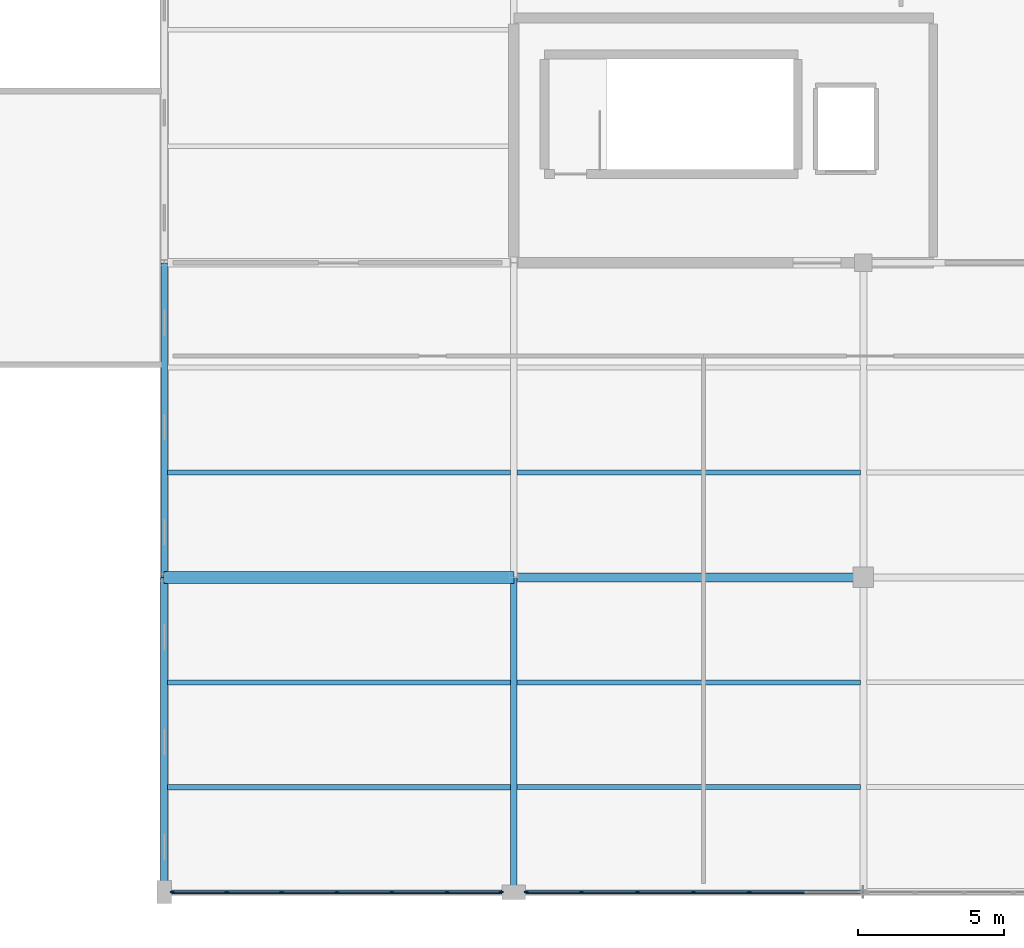
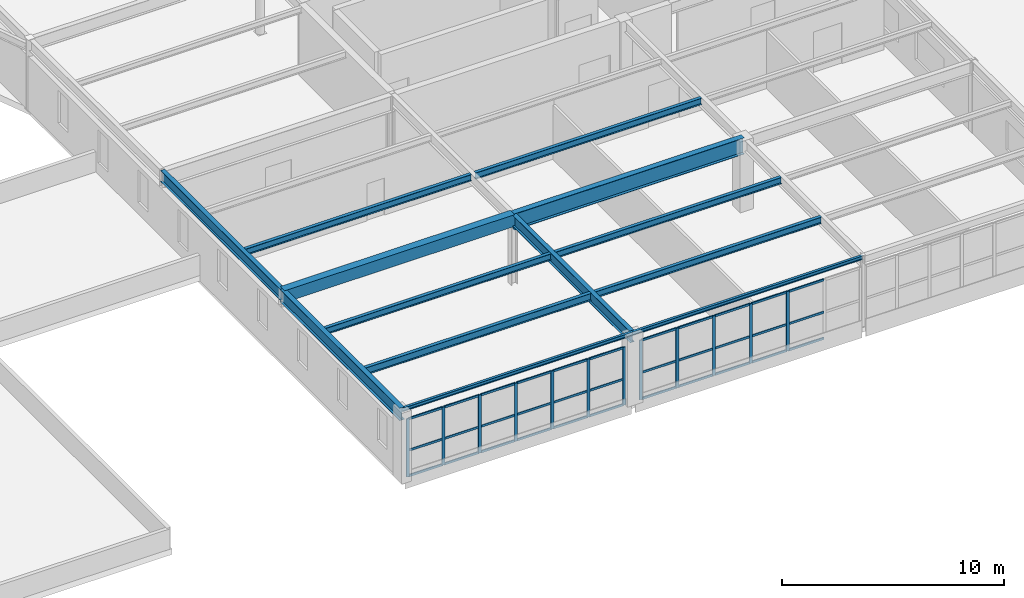
# One storey, part 53 of 128: 45 members, 13 beams, 2 elements without a shape of their own.
"""IFC4 building model written with IfcOpenShell, lengths in metres."""

from ifc_helpers import new_model, si_unit, direction, frame, origin, origin_2d, place, context, subcontext, project, spatial, rectangle, i_section, extrude, material, layer, layer_set, material_profile, profile_set, type_object, element, aggregate, save


model = new_model("IFC4")

# Units and contexts
model_context = context("Model", 3, precision=1e-05, world=origin(), true_north=direction((0.0, 1.0)))
body_context = subcontext(model_context, "Body", "Model", "MODEL_VIEW")
ifc_project = project(units=[si_unit("LENGTHUNIT", "METRE"), si_unit("AREAUNIT", "SQUARE_METRE"), si_unit("VOLUMEUNIT", "CUBIC_METRE"), si_unit("PLANEANGLEUNIT", "RADIAN"), si_unit("MASSUNIT", "GRAM", prefix="KILO")], contexts=[model_context])

# Site, building, storey
site_placement = place(None, origin())
site = spatial("IfcSite", under=ifc_project, at=site_placement, CompositionType="ELEMENT")
building_placement = place(site_placement, origin())
building = spatial("IfcBuilding", under=site, at=building_placement, Name="Tarnwether General Hospital", CompositionType="ELEMENT")
storey_placement = place(building_placement, frame((0.0, 0.0, 14.39990234375)))
storey = spatial("IfcBuildingStorey", under=building, at=storey_placement, Name="L03", CompositionType="ELEMENT", Elevation=14.39990234375)

# Beams
ifc_material_1 = material(Name="Steel Grade 350 (350 MPa)", Category="steel")
ifc_material_profile_1 = material_profile(ifc_material_1, i_section(OverallWidth=0.300048828125, OverallDepth=0.89990234375, WebThickness=0.011962890625, FlangeThickness=0.02001953125, at=origin_2d()), Name="900WB175")
ifc_profile_set_1 = profile_set([ifc_material_profile_1], Name="Steel Grade 350 (350 MPa)")
beam_type_1 = type_object("IfcBeamType", Name="BM-G01", PredefinedType="BEAM", material=ifc_profile_set_1)
beam_1_placement = place(storey_placement, frame((156.0, 10.800048828125, 3.4501953125), z_axis=(1.0, 0.0, 0.0), x_axis=(0.0, 1.0, 0.0)))
element("IfcBeam", 1, at=beam_1_placement, inside=storey, type_object=beam_type_1, Name="Primary Girder BMG-L03-15600_1080-16800_1080-1774", PredefinedType="BEAM", context=body_context, shape_type="SweptSolid", body=[
    extrude(i_section(OverallWidth=0.300048828125, OverallDepth=0.89990234375, WebThickness=0.011962890625, FlangeThickness=0.02001953125, at=origin_2d()), origin(), (0.0, 0.0, 1.0), 12.0),
])
ifc_material_2 = material(Name="Steel Grade 350 (350 MPa)", Category="steel")
ifc_material_profile_2 = material_profile(ifc_material_2, i_section(OverallWidth=0.25, OverallDepth=0.69189453125, WebThickness=0.009033203125, FlangeThickness=0.01611328125, at=origin_2d()), Name="700WB115")
ifc_profile_set_2 = profile_set([ifc_material_profile_2], Name="Steel Grade 350 (350 MPa)")
beam_type_2 = type_object("IfcBeamType", Name="BM-G02", PredefinedType="BEAM", material=ifc_profile_set_2)
beam_2_placement = place(storey_placement, frame((144.0, 0.0, 3.55419921875), z_axis=(0.0, 1.0, 0.0), x_axis=(-1.0, 0.0, 0.0)))
element("IfcBeam", 2, at=beam_2_placement, inside=storey, type_object=beam_type_2, Name="Primary Girder BMG-L03-14400_0-14400_1080-1755", PredefinedType="BEAM", context=body_context, shape_type="SweptSolid", body=[
    extrude(i_section(OverallWidth=0.25, OverallDepth=0.69189453125, WebThickness=0.009033203125, FlangeThickness=0.01611328125, at=origin_2d()), origin(), (0.0, 0.0, 1.0), 10.800048828125),
])
ifc_material_3 = material(Name="Steel Grade 350 (350 MPa)", Category="steel")
ifc_material_profile_3 = material_profile(ifc_material_3, i_section(OverallWidth=0.22900390625, OverallDepth=0.612060546875, WebThickness=0.011962890625, FlangeThickness=0.01953125, at=origin_2d()), Name="610UB125")
ifc_profile_set_3 = profile_set([ifc_material_profile_3], Name="Steel Grade 350 (350 MPa)")
beam_type_3 = type_object("IfcBeamType", Name="BM-G03", PredefinedType="BEAM", material=ifc_profile_set_3)
for number, where, z_axis, x_axis, name in (
    (3, (144.0, 10.800048828125, 3.593994140625), (0.0, 1.0, 0.0), (-1.0, 0.0, 0.0), "Primary Girder BMG-L03-14400_1080-14400_2160-1757"),
    (4, (156.0, 0.0, 3.593994140625), (0.0, 1.0, 0.0), (-1.0, 0.0, 0.0), "Primary Girder BMG-L03-15600_0-15600_1080-1773"),
):
    element("IfcBeam", number, at=place(storey_placement, frame(where, z_axis=z_axis, x_axis=x_axis)), inside=storey, type_object=beam_type_3, Name=name, PredefinedType="BEAM", context=body_context, shape_type="SweptSolid", body=[
        extrude(i_section(OverallWidth=0.22900390625, OverallDepth=0.612060546875, WebThickness=0.011962890625, FlangeThickness=0.01953125, at=origin_2d()), origin(), (0.0, 0.0, 1.0), 10.800048828125),
    ])
ifc_material_4 = material(Name="Concrete 40 MPa", Category="concrete")
ifc_material_profile_4 = material_profile(ifc_material_4, rectangle(XDim=0.39990234375, YDim=0.64990234375, at=origin_2d()), Name="RC-BM-400x650")
ifc_profile_set_4 = profile_set([ifc_material_profile_4], Name="Concrete 40 MPa")
beam_type_4 = type_object("IfcBeamType", Name="BM-G14", PredefinedType="BEAM", material=ifc_profile_set_4)
beam_3_placement = place(storey_placement, frame((144.0, 10.800048828125, 3.5751953125), z_axis=(1.0, 0.0, 0.0), x_axis=(0.0, 1.0, 0.0)))
element("IfcBeam", 5, at=beam_3_placement, inside=storey, type_object=beam_type_4, Name="Primary Girder BMG-L03-14400_1080-15600_1080-1756", PredefinedType="BEAM", context=body_context, shape_type="SweptSolid", body=[
    extrude(rectangle(XDim=0.39990234375, YDim=0.64990234375, at=origin_2d()), origin(), (0.0, 0.0, 1.0), 12.0),
])
ifc_material_5 = material(Name="Steel Grade 350 (350 MPa)", Category="steel")
ifc_material_profile_5 = material_profile(ifc_material_5, i_section(OverallWidth=0.177978515625, OverallDepth=0.403076171875, WebThickness=0.007568359375, FlangeThickness=0.010986328125, at=origin_2d()), Name="410UB53.7")
ifc_profile_set_5 = profile_set([ifc_material_profile_5], Name="Steel Grade 350 (350 MPa)")
beam_type_5 = type_object("IfcBeamType", Name="BM-J02", PredefinedType="JOIST", material=ifc_profile_set_5)
beam_4_placement = place(storey_placement, frame((144.118896484375, 3.60009765625, 3.698486328125), z_axis=(1.0, 0.0, 0.0), x_axis=(0.0, 1.0, 0.0)))
element("IfcBeam", 6, at=beam_4_placement, inside=storey, type_object=beam_type_5, Name="Composite Floor Joist BMG-L03-14412_360-15589_360-1814", PredefinedType="JOIST", context=body_context, shape_type="SweptSolid", body=[
    extrude(i_section(OverallWidth=0.177978515625, OverallDepth=0.403076171875, WebThickness=0.007568359375, FlangeThickness=0.010986328125, at=origin_2d()), origin(), (0.0, 0.0, 1.0), 11.773193359375),
])
ifc_material_6 = material(Name="Steel Grade 350 (350 MPa)", Category="steel")
ifc_material_profile_6 = material_profile(ifc_material_6, i_section(OverallWidth=0.172119140625, OverallDepth=0.35888671875, WebThickness=0.008056640625, FlangeThickness=0.012939453125, at=origin_2d()), Name="360UB56.7")
ifc_profile_set_6 = profile_set([ifc_material_profile_6], Name="Steel Grade 350 (350 MPa)")
beam_type_6 = type_object("IfcBeamType", Name="BM-J03", PredefinedType="JOIST", material=ifc_profile_set_6)
beam_5_placement = place(storey_placement, frame((144.118896484375, 7.199951171875, 3.720703125), z_axis=(1.0, 0.0, 0.0), x_axis=(0.0, 1.0, 0.0)))
element("IfcBeam", 7, at=beam_5_placement, inside=storey, type_object=beam_type_6, Name="Composite Floor Joist BMG-L03-14412_720-15589_720-1815", PredefinedType="JOIST", context=body_context, shape_type="SweptSolid", body=[
    extrude(i_section(OverallWidth=0.172119140625, OverallDepth=0.35888671875, WebThickness=0.008056640625, FlangeThickness=0.012939453125, at=origin_2d()), origin(), (0.0, 0.0, 1.0), 11.773193359375),
])
for number, where, z_axis, x_axis, name in (
    (8, (144.10791015625, 14.39990234375, 3.720703125), (1.0, 0.0, 0.0), (0.0, 1.0, 0.0), "Composite Floor Joist BMG-L03-14411_1440-15589_1440-1816"),
    (9, (156.10791015625, 3.60009765625, 3.720703125), (1.0, 0.0, 0.0), (0.0, 1.0, 0.0), "Composite Floor Joist BMG-L03-15611_360-16789_360-1830"),
):
    element("IfcBeam", number, at=place(storey_placement, frame(where, z_axis=z_axis, x_axis=x_axis)), inside=storey, type_object=beam_type_6, Name=name, PredefinedType="JOIST", context=body_context, shape_type="SweptSolid", body=[
        extrude(i_section(OverallWidth=0.172119140625, OverallDepth=0.35888671875, WebThickness=0.008056640625, FlangeThickness=0.012939453125, at=origin_2d()), origin(), (0.0, 0.0, 1.0), 11.7841796875),
    ])
ifc_material_7 = material(Name="Steel Grade 350 (350 MPa)", Category="steel")
ifc_material_profile_7 = material_profile(ifc_material_7, i_section(OverallWidth=0.1708984375, OverallDepth=0.35595703125, WebThickness=0.00732421875, FlangeThickness=0.011474609375, at=origin_2d()), Name="360UB50.7")
ifc_profile_set_7 = profile_set([ifc_material_profile_7], Name="Steel Grade 350 (350 MPa)")
beam_type_7 = type_object("IfcBeamType", Name="BM-J04", PredefinedType="JOIST", material=ifc_profile_set_7)
for number, where, z_axis, x_axis, name in (
    (10, (156.10791015625, 7.199951171875, 3.72216796875), (1.0, 0.0, 0.0), (0.0, 1.0, 0.0), "Composite Floor Joist BMG-L03-15611_720-16789_720-1831"),
    (11, (156.10791015625, 14.39990234375, 3.72216796875), (1.0, 0.0, 0.0), (0.0, 1.0, 0.0), "Composite Floor Joist BMG-L03-15611_1440-16789_1440-1832"),
):
    element("IfcBeam", number, at=place(storey_placement, frame(where, z_axis=z_axis, x_axis=x_axis)), inside=storey, type_object=beam_type_7, Name=name, PredefinedType="JOIST", context=body_context, shape_type="SweptSolid", body=[
        extrude(i_section(OverallWidth=0.1708984375, OverallDepth=0.35595703125, WebThickness=0.00732421875, FlangeThickness=0.011474609375, at=origin_2d()), origin(), (0.0, 0.0, 1.0), 11.7841796875),
    ])
ifc_material_8 = material(Name="Steel Grade 350 (350 MPa)", Category="steel")
ifc_material_profile_8 = material_profile(ifc_material_8, i_section(OverallWidth=0.133056640625, OverallDepth=0.202880859375, WebThickness=0.005859375, FlangeThickness=0.0078125, at=origin_2d()), Name="200UB25.4")
ifc_profile_set_8 = profile_set([ifc_material_profile_8], Name="Steel Grade 350 (350 MPa)")
beam_type_8 = type_object("IfcBeamType", Name="BM-SP5", PredefinedType="SPANDREL", material=ifc_profile_set_8)
beam_6_placement = place(storey_placement, frame((144.0, 0.0, 3.798583984375), z_axis=(1.0, 0.0, 0.0), x_axis=(0.0, 1.0, 0.0)))
element("IfcBeam", 12, at=beam_6_placement, inside=storey, type_object=beam_type_8, Name="Primary Girder BMG-L03-14400_0-15600_0-1754", PredefinedType="SPANDREL", context=body_context, shape_type="SweptSolid", body=[
    extrude(i_section(OverallWidth=0.133056640625, OverallDepth=0.202880859375, WebThickness=0.005859375, FlangeThickness=0.0078125, at=origin_2d()), origin(), (0.0, 0.0, 1.0), 12.0),
])
ifc_material_9 = material(Name="Steel Grade 350 (350 MPa)", Category="steel")
ifc_material_profile_9 = material_profile(ifc_material_9, i_section(OverallWidth=0.133056640625, OverallDepth=0.201904296875, WebThickness=0.0048828125, FlangeThickness=0.007080078125, at=origin_2d()), Name="200UB22.3")
ifc_profile_set_9 = profile_set([ifc_material_profile_9], Name="Steel Grade 350 (350 MPa)")
beam_type_9 = type_object("IfcBeamType", Name="BM-SP6", PredefinedType="SPANDREL", material=ifc_profile_set_9)
beam_7_placement = place(storey_placement, frame((156.0, 0.0, 3.799072265625), z_axis=(1.0, 0.0, 0.0), x_axis=(0.0, 1.0, 0.0)))
element("IfcBeam", 13, at=beam_7_placement, inside=storey, type_object=beam_type_9, Name="Primary Girder BMG-L03-15600_0-16800_0-1772", PredefinedType="SPANDREL", context=body_context, shape_type="SweptSolid", body=[
    extrude(i_section(OverallWidth=0.133056640625, OverallDepth=0.201904296875, WebThickness=0.0048828125, FlangeThickness=0.007080078125, at=origin_2d()), origin(), (0.0, 0.0, 1.0), 12.0),
])

# Curtain wall, members
ifc_material_10 = material(Name="Anodised aluminium", Category="aluminium")
ifc_layer = layer(ifc_material_10, 0.159912109375)
ifc_layer_set = layer_set([ifc_layer], Name="Anodised aluminium")
curtain_wall_type = type_object("IfcCurtainWallType", Name="CW-19", PredefinedType="NOTDEFINED", material=ifc_layer_set)
curtain_wall_1_placement = place(storey_placement, origin())
curtain_wall_1 = element("IfcCurtainWall", 14, at=curtain_wall_1_placement, inside=storey, type_object=curtain_wall_type, Name="Curtain Wall CWG-L03-1679_0-0480", PredefinedType="NOTDEFINED")
ifc_material_11 = material(Name="Anodised aluminium", Category="aluminium")
ifc_material_profile_10 = material_profile(ifc_material_11, rectangle(XDim=0.06005859375, YDim=0.159912109375, at=origin_2d()), Name="ALU-MUL-60x160")
ifc_profile_set_10 = profile_set([ifc_material_profile_10], Name="Anodised aluminium")
member_type_1 = type_object("IfcMemberType", Name="CW-ML1", PredefinedType="MULLION", material=ifc_profile_set_10)
member_1_placement = place(storey_placement, frame((164.08056640625, 0.0, 0.0), z_axis=(0.0, 0.0, 1.0), x_axis=(0.0, -1.0, 0.0)))
member_1 = element("IfcMember", 15, at=member_1_placement, type_object=member_type_1, Name="CW-19 mullion 3", PredefinedType="MULLION", context=body_context, shape_type="SweptSolid", body=[
    extrude(rectangle(XDim=0.06005859375, YDim=0.159912109375, at=origin_2d()), origin(), (0.0, 0.0, 1.0), 3.278076171875),
])
member_2_placement = place(storey_placement, frame((162.16259765625, 0.0, 0.0), z_axis=(0.0, 0.0, 1.0), x_axis=(0.0, -1.0, 0.0)))
member_2 = element("IfcMember", 16, at=member_2_placement, type_object=member_type_1, Name="CW-19 mullion 4", PredefinedType="MULLION", context=body_context, shape_type="SweptSolid", body=[
    extrude(rectangle(XDim=0.06005859375, YDim=0.159912109375, at=origin_2d()), origin(), (0.0, 0.0, 1.0), 3.278076171875),
])
member_3_placement = place(storey_placement, frame((160.244384765625, 0.0, 0.0), z_axis=(0.0, 0.0, 1.0), x_axis=(0.0, -1.0, 0.0)))
member_3 = element("IfcMember", 17, at=member_3_placement, type_object=member_type_1, Name="CW-19 mullion 5", PredefinedType="MULLION", context=body_context, shape_type="SweptSolid", body=[
    extrude(rectangle(XDim=0.06005859375, YDim=0.159912109375, at=origin_2d()), origin(), (0.0, 0.0, 1.0), 3.278076171875),
])
member_4_placement = place(storey_placement, frame((158.326171875, 0.0, 0.0), z_axis=(0.0, 0.0, 1.0), x_axis=(0.0, -1.0, 0.0)))
member_4 = element("IfcMember", 18, at=member_4_placement, type_object=member_type_1, Name="CW-19 mullion 6", PredefinedType="MULLION", context=body_context, shape_type="SweptSolid", body=[
    extrude(rectangle(XDim=0.06005859375, YDim=0.159912109375, at=origin_2d()), origin(), (0.0, 0.0, 1.0), 3.278076171875),
])
member_5_placement = place(storey_placement, frame((156.43798828125, 0.0, 0.0), z_axis=(0.0, 0.0, 1.0), x_axis=(0.0, -1.0, 0.0)))
member_5 = element("IfcMember", 19, at=member_5_placement, type_object=member_type_1, Name="CW-19 mullion 7", PredefinedType="MULLION", context=body_context, shape_type="SweptSolid", body=[
    extrude(rectangle(XDim=0.06005859375, YDim=0.159912109375, at=origin_2d()), origin(), (0.0, 0.0, 1.0), 3.278076171875),
])

curtain_wall_2_placement = place(storey_placement, origin())
curtain_wall_2 = element("IfcCurtainWall", 20, at=curtain_wall_2_placement, inside=storey, type_object=curtain_wall_type, Name="Curtain Wall CWG-L03-1556_0-0481", PredefinedType="NOTDEFINED")
member_6_placement = place(storey_placement, frame((155.56201171875, 0.0, 0.0), z_axis=(0.0, 0.0, 1.0), x_axis=(0.0, -1.0, 0.0)))
member_6 = element("IfcMember", 21, at=member_6_placement, type_object=member_type_1, Name="CW-19 mullion 1", PredefinedType="MULLION", context=body_context, shape_type="SweptSolid", body=[
    extrude(rectangle(XDim=0.06005859375, YDim=0.159912109375, at=origin_2d()), origin(), (0.0, 0.0, 1.0), 3.193115234375),
])
member_7_placement = place(storey_placement, frame((153.702880859375, 0.0, 0.0), z_axis=(0.0, 0.0, 1.0), x_axis=(0.0, -1.0, 0.0)))
member_7 = element("IfcMember", 22, at=member_7_placement, type_object=member_type_1, Name="CW-19 mullion 2", PredefinedType="MULLION", context=body_context, shape_type="SweptSolid", body=[
    extrude(rectangle(XDim=0.06005859375, YDim=0.159912109375, at=origin_2d()), origin(), (0.0, 0.0, 1.0), 3.193115234375),
])
member_8_placement = place(storey_placement, frame((151.81396484375, 0.0, 0.0), z_axis=(0.0, 0.0, 1.0), x_axis=(0.0, -1.0, 0.0)))
member_8 = element("IfcMember", 23, at=member_8_placement, type_object=member_type_1, Name="CW-19 mullion 3", PredefinedType="MULLION", context=body_context, shape_type="SweptSolid", body=[
    extrude(rectangle(XDim=0.06005859375, YDim=0.159912109375, at=origin_2d()), origin(), (0.0, 0.0, 1.0), 3.193115234375),
])
member_9_placement = place(storey_placement, frame((149.925048828125, 0.0, 0.0), z_axis=(0.0, 0.0, 1.0), x_axis=(0.0, -1.0, 0.0)))
member_9 = element("IfcMember", 24, at=member_9_placement, type_object=member_type_1, Name="CW-19 mullion 4", PredefinedType="MULLION", context=body_context, shape_type="SweptSolid", body=[
    extrude(rectangle(XDim=0.06005859375, YDim=0.159912109375, at=origin_2d()), origin(), (0.0, 0.0, 1.0), 3.193115234375),
])
member_10_placement = place(storey_placement, frame((148.035888671875, 0.0, 0.0), z_axis=(0.0, 0.0, 1.0), x_axis=(0.0, -1.0, 0.0)))
member_10 = element("IfcMember", 25, at=member_10_placement, type_object=member_type_1, Name="CW-19 mullion 5", PredefinedType="MULLION", context=body_context, shape_type="SweptSolid", body=[
    extrude(rectangle(XDim=0.06005859375, YDim=0.159912109375, at=origin_2d()), origin(), (0.0, 0.0, 1.0), 3.193115234375),
])
member_11_placement = place(storey_placement, frame((146.14697265625, 0.0, 0.0), z_axis=(0.0, 0.0, 1.0), x_axis=(0.0, -1.0, 0.0)))
member_11 = element("IfcMember", 26, at=member_11_placement, type_object=member_type_1, Name="CW-19 mullion 6", PredefinedType="MULLION", context=body_context, shape_type="SweptSolid", body=[
    extrude(rectangle(XDim=0.06005859375, YDim=0.159912109375, at=origin_2d()), origin(), (0.0, 0.0, 1.0), 3.193115234375),
])
member_12_placement = place(storey_placement, frame((144.2880859375, 0.0, 0.0), z_axis=(0.0, 0.0, 1.0), x_axis=(0.0, -1.0, 0.0)))
member_12 = element("IfcMember", 27, at=member_12_placement, type_object=member_type_1, Name="CW-19 mullion 7", PredefinedType="MULLION", context=body_context, shape_type="SweptSolid", body=[
    extrude(rectangle(XDim=0.06005859375, YDim=0.159912109375, at=origin_2d()), origin(), (0.0, 0.0, 1.0), 3.193115234375),
])

# Member
ifc_material_12 = material(Name="Anodised aluminium", Category="aluminium")
ifc_material_profile_11 = material_profile(ifc_material_12, rectangle(XDim=0.06005859375, YDim=0.1201171875, at=origin_2d()), Name="ALU-TRN-60x120")
ifc_profile_set_11 = profile_set([ifc_material_profile_11], Name="Anodised aluminium")
member_type_2 = type_object("IfcMemberType", Name="CW-TR1", PredefinedType="USERDEFINED", material=ifc_profile_set_11)
member_13_placement = place(storey_placement, frame((165.96875, 0.0, 0.030029296875), z_axis=(-1.0, 0.0, 0.0), x_axis=(0.0, -1.0, 0.0)))
member_13 = element("IfcMember", 28, at=member_13_placement, type_object=member_type_2, Name="CW-19 transom 2.1", ObjectType="TRANSOM", PredefinedType="USERDEFINED", context=body_context, shape_type="SweptSolid", body=[
    extrude(rectangle(XDim=0.06005859375, YDim=0.1201171875, at=origin_2d()), origin(), (0.0, 0.0, 1.0), 1.858154296875),
])

member_14_placement = place(storey_placement, frame((165.96875, 0.0, 1.47509765625), z_axis=(-1.0, 0.0, 0.0), x_axis=(0.0, -1.0, 0.0)))
member_14 = element("IfcMember", 29, at=member_14_placement, type_object=member_type_2, Name="CW-19 transom 2.2", ObjectType="TRANSOM", PredefinedType="USERDEFINED", context=body_context, shape_type="SweptSolid", body=[
    extrude(rectangle(XDim=0.06005859375, YDim=0.1201171875, at=origin_2d()), origin(), (0.0, 0.0, 1.0), 1.858154296875),
])

member_15_placement = place(storey_placement, frame((165.96875, 0.0, 3.248046875), z_axis=(-1.0, 0.0, 0.0), x_axis=(0.0, -1.0, 0.0)))
member_15 = element("IfcMember", 30, at=member_15_placement, type_object=member_type_2, Name="CW-19 transom 2.3", ObjectType="TRANSOM", PredefinedType="USERDEFINED", context=body_context, shape_type="SweptSolid", body=[
    extrude(rectangle(XDim=0.06005859375, YDim=0.1201171875, at=origin_2d()), origin(), (0.0, 0.0, 1.0), 1.858154296875),
])

member_16_placement = place(storey_placement, frame((164.05078125, 0.0, 0.030029296875), z_axis=(-1.0, 0.0, 0.0), x_axis=(0.0, -1.0, 0.0)))
member_16 = element("IfcMember", 31, at=member_16_placement, type_object=member_type_2, Name="CW-19 transom 3.1", ObjectType="TRANSOM", PredefinedType="USERDEFINED", context=body_context, shape_type="SweptSolid", body=[
    extrude(rectangle(XDim=0.06005859375, YDim=0.1201171875, at=origin_2d()), origin(), (0.0, 0.0, 1.0), 1.8583984375),
])

member_17_placement = place(storey_placement, frame((164.05078125, 0.0, 1.47509765625), z_axis=(-1.0, 0.0, 0.0), x_axis=(0.0, -1.0, 0.0)))
member_17 = element("IfcMember", 32, at=member_17_placement, type_object=member_type_2, Name="CW-19 transom 3.2", ObjectType="TRANSOM", PredefinedType="USERDEFINED", context=body_context, shape_type="SweptSolid", body=[
    extrude(rectangle(XDim=0.06005859375, YDim=0.1201171875, at=origin_2d()), origin(), (0.0, 0.0, 1.0), 1.8583984375),
])

member_18_placement = place(storey_placement, frame((164.05078125, 0.0, 3.248046875), z_axis=(-1.0, 0.0, 0.0), x_axis=(0.0, -1.0, 0.0)))
member_18 = element("IfcMember", 33, at=member_18_placement, type_object=member_type_2, Name="CW-19 transom 3.3", ObjectType="TRANSOM", PredefinedType="USERDEFINED", context=body_context, shape_type="SweptSolid", body=[
    extrude(rectangle(XDim=0.06005859375, YDim=0.1201171875, at=origin_2d()), origin(), (0.0, 0.0, 1.0), 1.8583984375),
])

member_19_placement = place(storey_placement, frame((162.132568359375, 0.0, 0.030029296875), z_axis=(-1.0, 0.0, 0.0), x_axis=(0.0, -1.0, 0.0)))
member_19 = element("IfcMember", 34, at=member_19_placement, type_object=member_type_2, Name="CW-19 transom 4.1", ObjectType="TRANSOM", PredefinedType="USERDEFINED", context=body_context, shape_type="SweptSolid", body=[
    extrude(rectangle(XDim=0.06005859375, YDim=0.1201171875, at=origin_2d()), origin(), (0.0, 0.0, 1.0), 1.858154296875),
])

member_20_placement = place(storey_placement, frame((162.132568359375, 0.0, 1.47509765625), z_axis=(-1.0, 0.0, 0.0), x_axis=(0.0, -1.0, 0.0)))
member_20 = element("IfcMember", 35, at=member_20_placement, type_object=member_type_2, Name="CW-19 transom 4.2", ObjectType="TRANSOM", PredefinedType="USERDEFINED", context=body_context, shape_type="SweptSolid", body=[
    extrude(rectangle(XDim=0.06005859375, YDim=0.1201171875, at=origin_2d()), origin(), (0.0, 0.0, 1.0), 1.858154296875),
])

member_21_placement = place(storey_placement, frame((162.132568359375, 0.0, 3.248046875), z_axis=(-1.0, 0.0, 0.0), x_axis=(0.0, -1.0, 0.0)))
member_21 = element("IfcMember", 36, at=member_21_placement, type_object=member_type_2, Name="CW-19 transom 4.3", ObjectType="TRANSOM", PredefinedType="USERDEFINED", context=body_context, shape_type="SweptSolid", body=[
    extrude(rectangle(XDim=0.06005859375, YDim=0.1201171875, at=origin_2d()), origin(), (0.0, 0.0, 1.0), 1.858154296875),
])

member_22_placement = place(storey_placement, frame((160.21435546875, 0.0, 0.030029296875), z_axis=(-1.0, 0.0, 0.0), x_axis=(0.0, -1.0, 0.0)))
member_22 = element("IfcMember", 37, at=member_22_placement, type_object=member_type_2, Name="CW-19 transom 5.1", ObjectType="TRANSOM", PredefinedType="USERDEFINED", context=body_context, shape_type="SweptSolid", body=[
    extrude(rectangle(XDim=0.06005859375, YDim=0.1201171875, at=origin_2d()), origin(), (0.0, 0.0, 1.0), 1.858154296875),
])

member_23_placement = place(storey_placement, frame((160.21435546875, 0.0, 1.47509765625), z_axis=(-1.0, 0.0, 0.0), x_axis=(0.0, -1.0, 0.0)))
member_23 = element("IfcMember", 38, at=member_23_placement, type_object=member_type_2, Name="CW-19 transom 5.2", ObjectType="TRANSOM", PredefinedType="USERDEFINED", context=body_context, shape_type="SweptSolid", body=[
    extrude(rectangle(XDim=0.06005859375, YDim=0.1201171875, at=origin_2d()), origin(), (0.0, 0.0, 1.0), 1.858154296875),
])

member_24_placement = place(storey_placement, frame((160.21435546875, 0.0, 3.248046875), z_axis=(-1.0, 0.0, 0.0), x_axis=(0.0, -1.0, 0.0)))
member_24 = element("IfcMember", 39, at=member_24_placement, type_object=member_type_2, Name="CW-19 transom 5.3", ObjectType="TRANSOM", PredefinedType="USERDEFINED", context=body_context, shape_type="SweptSolid", body=[
    extrude(rectangle(XDim=0.06005859375, YDim=0.1201171875, at=origin_2d()), origin(), (0.0, 0.0, 1.0), 1.858154296875),
])

member_25_placement = place(storey_placement, frame((158.296142578125, 0.0, 0.030029296875), z_axis=(-1.0, 0.0, 0.0), x_axis=(0.0, -1.0, 0.0)))
member_25 = element("IfcMember", 40, at=member_25_placement, type_object=member_type_2, Name="CW-19 transom 6.1", ObjectType="TRANSOM", PredefinedType="USERDEFINED", context=body_context, shape_type="SweptSolid", body=[
    extrude(rectangle(XDim=0.06005859375, YDim=0.1201171875, at=origin_2d()), origin(), (0.0, 0.0, 1.0), 1.828125),
])

member_26_placement = place(storey_placement, frame((158.296142578125, 0.0, 1.47509765625), z_axis=(-1.0, 0.0, 0.0), x_axis=(0.0, -1.0, 0.0)))
member_26 = element("IfcMember", 41, at=member_26_placement, type_object=member_type_2, Name="CW-19 transom 6.2", ObjectType="TRANSOM", PredefinedType="USERDEFINED", context=body_context, shape_type="SweptSolid", body=[
    extrude(rectangle(XDim=0.06005859375, YDim=0.1201171875, at=origin_2d()), origin(), (0.0, 0.0, 1.0), 1.828125),
])

member_27_placement = place(storey_placement, frame((158.296142578125, 0.0, 3.248046875), z_axis=(-1.0, 0.0, 0.0), x_axis=(0.0, -1.0, 0.0)))
member_27 = element("IfcMember", 42, at=member_27_placement, type_object=member_type_2, Name="CW-19 transom 6.3", ObjectType="TRANSOM", PredefinedType="USERDEFINED", context=body_context, shape_type="SweptSolid", body=[
    extrude(rectangle(XDim=0.06005859375, YDim=0.1201171875, at=origin_2d()), origin(), (0.0, 0.0, 1.0), 1.828125),
])

aggregate(curtain_wall_1, [member_1, member_2, member_3, member_4, member_5, member_13, member_14, member_15, member_16, member_17, member_18, member_19, member_20, member_21, member_22, member_23, member_24, member_25, member_26, member_27])

member_28_placement = place(storey_placement, frame((155.531982421875, 0.0, 0.030029296875), z_axis=(-1.0, 0.0, 0.0), x_axis=(0.0, -1.0, 0.0)))
member_28 = element("IfcMember", 43, at=member_28_placement, type_object=member_type_2, Name="CW-19 transom 1.1", ObjectType="TRANSOM", PredefinedType="USERDEFINED", context=body_context, shape_type="SweptSolid", body=[
    extrude(rectangle(XDim=0.06005859375, YDim=0.1201171875, at=origin_2d()), origin(), (0.0, 0.0, 1.0), 1.799072265625),
])

member_29_placement = place(storey_placement, frame((155.531982421875, 0.0, 1.43701171875), z_axis=(-1.0, 0.0, 0.0), x_axis=(0.0, -1.0, 0.0)))
member_29 = element("IfcMember", 44, at=member_29_placement, type_object=member_type_2, Name="CW-19 transom 1.2", ObjectType="TRANSOM", PredefinedType="USERDEFINED", context=body_context, shape_type="SweptSolid", body=[
    extrude(rectangle(XDim=0.06005859375, YDim=0.1201171875, at=origin_2d()), origin(), (0.0, 0.0, 1.0), 1.799072265625),
])

member_30_placement = place(storey_placement, frame((155.531982421875, 0.0, 3.1630859375), z_axis=(-1.0, 0.0, 0.0), x_axis=(0.0, -1.0, 0.0)))
member_30 = element("IfcMember", 45, at=member_30_placement, type_object=member_type_2, Name="CW-19 transom 1.3", ObjectType="TRANSOM", PredefinedType="USERDEFINED", context=body_context, shape_type="SweptSolid", body=[
    extrude(rectangle(XDim=0.06005859375, YDim=0.1201171875, at=origin_2d()), origin(), (0.0, 0.0, 1.0), 1.799072265625),
])

member_31_placement = place(storey_placement, frame((153.673095703125, 0.0, 0.030029296875), z_axis=(-1.0, 0.0, 0.0), x_axis=(0.0, -1.0, 0.0)))
member_31 = element("IfcMember", 46, at=member_31_placement, type_object=member_type_2, Name="CW-19 transom 2.1", ObjectType="TRANSOM", PredefinedType="USERDEFINED", context=body_context, shape_type="SweptSolid", body=[
    extrude(rectangle(XDim=0.06005859375, YDim=0.1201171875, at=origin_2d()), origin(), (0.0, 0.0, 1.0), 1.8291015625),
])

member_32_placement = place(storey_placement, frame((153.673095703125, 0.0, 1.43701171875), z_axis=(-1.0, 0.0, 0.0), x_axis=(0.0, -1.0, 0.0)))
member_32 = element("IfcMember", 47, at=member_32_placement, type_object=member_type_2, Name="CW-19 transom 2.2", ObjectType="TRANSOM", PredefinedType="USERDEFINED", context=body_context, shape_type="SweptSolid", body=[
    extrude(rectangle(XDim=0.06005859375, YDim=0.1201171875, at=origin_2d()), origin(), (0.0, 0.0, 1.0), 1.8291015625),
])

member_33_placement = place(storey_placement, frame((153.673095703125, 0.0, 3.1630859375), z_axis=(-1.0, 0.0, 0.0), x_axis=(0.0, -1.0, 0.0)))
member_33 = element("IfcMember", 48, at=member_33_placement, type_object=member_type_2, Name="CW-19 transom 2.3", ObjectType="TRANSOM", PredefinedType="USERDEFINED", context=body_context, shape_type="SweptSolid", body=[
    extrude(rectangle(XDim=0.06005859375, YDim=0.1201171875, at=origin_2d()), origin(), (0.0, 0.0, 1.0), 1.8291015625),
])

member_34_placement = place(storey_placement, frame((151.783935546875, 0.0, 0.030029296875), z_axis=(-1.0, 0.0, 0.0), x_axis=(0.0, -1.0, 0.0)))
member_34 = element("IfcMember", 49, at=member_34_placement, type_object=member_type_2, Name="CW-19 transom 3.1", ObjectType="TRANSOM", PredefinedType="USERDEFINED", context=body_context, shape_type="SweptSolid", body=[
    extrude(rectangle(XDim=0.06005859375, YDim=0.1201171875, at=origin_2d()), origin(), (0.0, 0.0, 1.0), 1.828857421875),
])

member_35_placement = place(storey_placement, frame((151.783935546875, 0.0, 1.43701171875), z_axis=(-1.0, 0.0, 0.0), x_axis=(0.0, -1.0, 0.0)))
member_35 = element("IfcMember", 50, at=member_35_placement, type_object=member_type_2, Name="CW-19 transom 3.2", ObjectType="TRANSOM", PredefinedType="USERDEFINED", context=body_context, shape_type="SweptSolid", body=[
    extrude(rectangle(XDim=0.06005859375, YDim=0.1201171875, at=origin_2d()), origin(), (0.0, 0.0, 1.0), 1.828857421875),
])

member_36_placement = place(storey_placement, frame((151.783935546875, 0.0, 3.1630859375), z_axis=(-1.0, 0.0, 0.0), x_axis=(0.0, -1.0, 0.0)))
member_36 = element("IfcMember", 51, at=member_36_placement, type_object=member_type_2, Name="CW-19 transom 3.3", ObjectType="TRANSOM", PredefinedType="USERDEFINED", context=body_context, shape_type="SweptSolid", body=[
    extrude(rectangle(XDim=0.06005859375, YDim=0.1201171875, at=origin_2d()), origin(), (0.0, 0.0, 1.0), 1.828857421875),
])

member_37_placement = place(storey_placement, frame((149.89501953125, 0.0, 0.030029296875), z_axis=(-1.0, 0.0, 0.0), x_axis=(0.0, -1.0, 0.0)))
member_37 = element("IfcMember", 52, at=member_37_placement, type_object=member_type_2, Name="CW-19 transom 4.1", ObjectType="TRANSOM", PredefinedType="USERDEFINED", context=body_context, shape_type="SweptSolid", body=[
    extrude(rectangle(XDim=0.06005859375, YDim=0.1201171875, at=origin_2d()), origin(), (0.0, 0.0, 1.0), 1.8291015625),
])

member_38_placement = place(storey_placement, frame((149.89501953125, 0.0, 1.43701171875), z_axis=(-1.0, 0.0, 0.0), x_axis=(0.0, -1.0, 0.0)))
member_38 = element("IfcMember", 53, at=member_38_placement, type_object=member_type_2, Name="CW-19 transom 4.2", ObjectType="TRANSOM", PredefinedType="USERDEFINED", context=body_context, shape_type="SweptSolid", body=[
    extrude(rectangle(XDim=0.06005859375, YDim=0.1201171875, at=origin_2d()), origin(), (0.0, 0.0, 1.0), 1.8291015625),
])

member_39_placement = place(storey_placement, frame((149.89501953125, 0.0, 3.1630859375), z_axis=(-1.0, 0.0, 0.0), x_axis=(0.0, -1.0, 0.0)))
member_39 = element("IfcMember", 54, at=member_39_placement, type_object=member_type_2, Name="CW-19 transom 4.3", ObjectType="TRANSOM", PredefinedType="USERDEFINED", context=body_context, shape_type="SweptSolid", body=[
    extrude(rectangle(XDim=0.06005859375, YDim=0.1201171875, at=origin_2d()), origin(), (0.0, 0.0, 1.0), 1.8291015625),
])

member_40_placement = place(storey_placement, frame((148.006103515625, 0.0, 0.030029296875), z_axis=(-1.0, 0.0, 0.0), x_axis=(0.0, -1.0, 0.0)))
member_40 = element("IfcMember", 55, at=member_40_placement, type_object=member_type_2, Name="CW-19 transom 5.1", ObjectType="TRANSOM", PredefinedType="USERDEFINED", context=body_context, shape_type="SweptSolid", body=[
    extrude(rectangle(XDim=0.06005859375, YDim=0.1201171875, at=origin_2d()), origin(), (0.0, 0.0, 1.0), 1.8291015625),
])

member_41_placement = place(storey_placement, frame((148.006103515625, 0.0, 1.43701171875), z_axis=(-1.0, 0.0, 0.0), x_axis=(0.0, -1.0, 0.0)))
member_41 = element("IfcMember", 56, at=member_41_placement, type_object=member_type_2, Name="CW-19 transom 5.2", ObjectType="TRANSOM", PredefinedType="USERDEFINED", context=body_context, shape_type="SweptSolid", body=[
    extrude(rectangle(XDim=0.06005859375, YDim=0.1201171875, at=origin_2d()), origin(), (0.0, 0.0, 1.0), 1.8291015625),
])

member_42_placement = place(storey_placement, frame((148.006103515625, 0.0, 3.1630859375), z_axis=(-1.0, 0.0, 0.0), x_axis=(0.0, -1.0, 0.0)))
member_42 = element("IfcMember", 57, at=member_42_placement, type_object=member_type_2, Name="CW-19 transom 5.3", ObjectType="TRANSOM", PredefinedType="USERDEFINED", context=body_context, shape_type="SweptSolid", body=[
    extrude(rectangle(XDim=0.06005859375, YDim=0.1201171875, at=origin_2d()), origin(), (0.0, 0.0, 1.0), 1.8291015625),
])

member_43_placement = place(storey_placement, frame((146.116943359375, 0.0, 0.030029296875), z_axis=(-1.0, 0.0, 0.0), x_axis=(0.0, -1.0, 0.0)))
member_43 = element("IfcMember", 58, at=member_43_placement, type_object=member_type_2, Name="CW-19 transom 6.1", ObjectType="TRANSOM", PredefinedType="USERDEFINED", context=body_context, shape_type="SweptSolid", body=[
    extrude(rectangle(XDim=0.06005859375, YDim=0.1201171875, at=origin_2d()), origin(), (0.0, 0.0, 1.0), 1.798828125),
])

member_44_placement = place(storey_placement, frame((146.116943359375, 0.0, 1.43701171875), z_axis=(-1.0, 0.0, 0.0), x_axis=(0.0, -1.0, 0.0)))
member_44 = element("IfcMember", 59, at=member_44_placement, type_object=member_type_2, Name="CW-19 transom 6.2", ObjectType="TRANSOM", PredefinedType="USERDEFINED", context=body_context, shape_type="SweptSolid", body=[
    extrude(rectangle(XDim=0.06005859375, YDim=0.1201171875, at=origin_2d()), origin(), (0.0, 0.0, 1.0), 1.798828125),
])

member_45_placement = place(storey_placement, frame((146.116943359375, 0.0, 3.1630859375), z_axis=(-1.0, 0.0, 0.0), x_axis=(0.0, -1.0, 0.0)))
member_45 = element("IfcMember", 60, at=member_45_placement, type_object=member_type_2, Name="CW-19 transom 6.3", ObjectType="TRANSOM", PredefinedType="USERDEFINED", context=body_context, shape_type="SweptSolid", body=[
    extrude(rectangle(XDim=0.06005859375, YDim=0.1201171875, at=origin_2d()), origin(), (0.0, 0.0, 1.0), 1.798828125),
])

aggregate(curtain_wall_2, [member_6, member_7, member_8, member_9, member_10, member_11, member_12, member_28, member_29, member_30, member_31, member_32, member_33, member_34, member_35, member_36, member_37, member_38, member_39, member_40, member_41, member_42, member_43, member_44, member_45])

save(model, "model.ifc")
